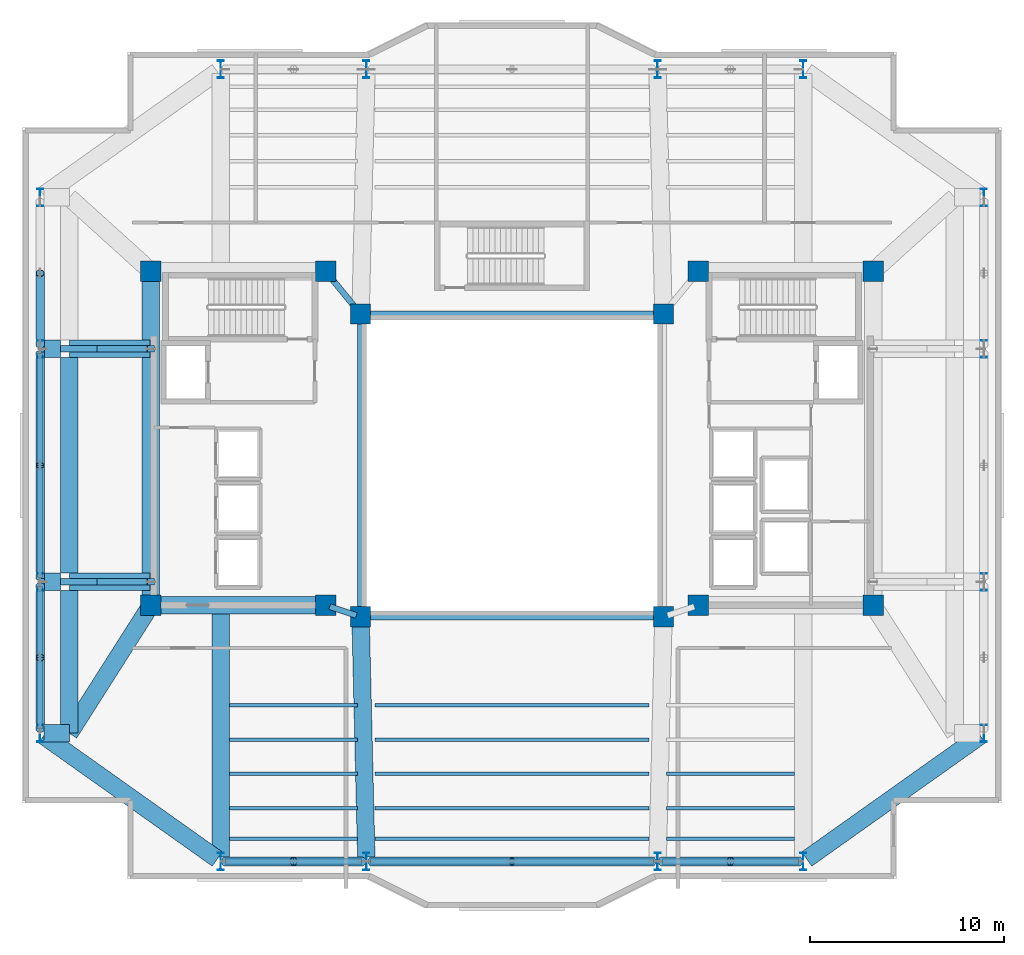
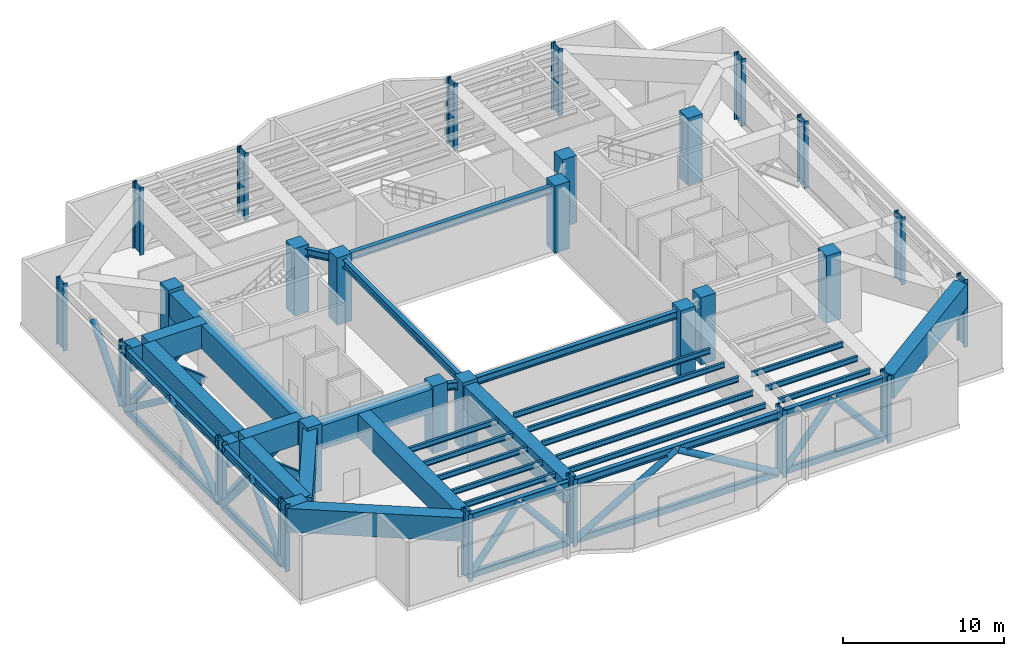
# One storey, part 1 of 13: 37 beams, 28 columns, 20 members.
"""IFC4 building model written with IfcOpenShell, lengths in metres."""

from ifc_helpers import new_model, si_unit, direction, frame, origin, origin_2d, place, context, subcontext, project, spatial, rectangle, hollow_rectangle, hollow_circle, i_section, extrude, material, material_profile, profile_set, type_object, element, save


model = new_model("IFC4")

# Units and contexts
model_context = context("Model", 3, precision=1e-05, world=origin(), true_north=direction((0.0, 1.0)))
body_context = subcontext(model_context, "Body", "Model", "MODEL_VIEW")
ifc_project = project(units=[si_unit("LENGTHUNIT", "METRE"), si_unit("AREAUNIT", "SQUARE_METRE"), si_unit("VOLUMEUNIT", "CUBIC_METRE"), si_unit("PLANEANGLEUNIT", "RADIAN"), si_unit("MASSUNIT", "GRAM", prefix="KILO")], contexts=[model_context])

# Site, building, storey
site_placement = place(None, origin())
site = spatial("IfcSite", under=ifc_project, at=site_placement, CompositionType="ELEMENT")
building_placement = place(site_placement, origin())
building = spatial("IfcBuilding", under=site, at=building_placement, Name="Tarnavaz Court Tower", CompositionType="ELEMENT")
storey_placement = place(building_placement, frame((0.0, 0.0, 181.800048828125)))
storey = spatial("IfcBuildingStorey", under=building, at=storey_placement, Name="L49", CompositionType="ELEMENT", Elevation=181.800048828125)

# Columns
ifc_material_1 = material(Name="Concrete C60/75", Category="concrete")
ifc_material_profile_1 = material_profile(ifc_material_1, rectangle(XDim=1.050048828125, YDim=1.050048828125, at=origin_2d()), Name="RC 1050X1050")
ifc_profile_set_1 = profile_set([ifc_material_profile_1], Name="Concrete C60/75")
column_type_1 = type_object("IfcColumnType", Name="CL-RC1050", PredefinedType="COLUMN", material=ifc_profile_set_1)
for number, where, z_axis, x_axis, name in (
    (1, (-7.800048828125, -7.800048828125, 0.0), (0.0, 0.0, 1.0), (1.0, 0.0, 0.0), "L49 Column IW-SW"),
    (2, (7.800048828125, -7.800048828125, 0.0), (0.0, 0.0, 1.0), (1.0, 0.0, 0.0), "L49 Column IW-SE"),
    (3, (-7.800048828125, 7.800048828125, 0.0), (0.0, 0.0, 1.0), (1.0, 0.0, 0.0), "L49 Column IW-NW"),
    (4, (7.800048828125, 7.800048828125, 0.0), (0.0, 0.0, 1.0), (1.0, 0.0, 0.0), "L49 Column IW-NE"),
    (5, (-9.60009765625, -7.199951171875, 0.0), (0.0, 0.0, 1.0), (1.0, 0.0, 0.0), "L49 Column CW-SI"),
    (6, (-9.60009765625, 10.0, 0.0), (0.0, 0.0, 1.0), (1.0, 0.0, 0.0), "L49 Column CW-NI"),
    (7, (9.60009765625, -7.199951171875, 0.0), (0.0, 0.0, 1.0), (1.0, 0.0, 0.0), "L49 Column CE-SI"),
    (8, (9.60009765625, 10.0, 0.0), (0.0, 0.0, 1.0), (1.0, 0.0, 0.0), "L49 Column CE-NI"),
    (9, (-18.60009765625, -7.199951171875, 0.0), (0.0, 0.0, 1.0), (1.0, 0.0, 0.0), "L49 Column CW-SO"),
    (10, (-18.60009765625, 10.0, 0.0), (0.0, 0.0, 1.0), (1.0, 0.0, 0.0), "L49 Column CW-NO"),
    (11, (18.60009765625, -7.199951171875, 0.0), (0.0, 0.0, 1.0), (1.0, 0.0, 0.0), "L49 Column CE-SO"),
    (12, (18.60009765625, 10.0, 0.0), (0.0, 0.0, 1.0), (1.0, 0.0, 0.0), "L49 Column CE-NO"),
):
    element("IfcColumn", number, at=place(storey_placement, frame(where, z_axis=z_axis, x_axis=x_axis)), inside=storey, type_object=column_type_1, Name=name, PredefinedType="COLUMN", context=body_context, shape_type="SweptSolid", body=[
        extrude(rectangle(XDim=1.050048828125, YDim=1.050048828125, at=origin_2d()), origin(), (0.0, 0.0, 1.0), 5.099853515625),
    ])
ifc_material_2 = material(Name="Steel S460", Category="steel")
ifc_material_profile_2 = material_profile(ifc_material_2, i_section(OverallWidth=0.302001953125, OverallDepth=0.909912109375, WebThickness=0.02099609375, FlangeThickness=0.0400390625, FilletRadius=0.030029296875, at=origin_2d()), Name="HEM 900")
ifc_profile_set_2 = profile_set([ifc_material_profile_2], Name="Steel S460")
column_type_2 = type_object("IfcColumnType", Name="CL-S460-HEM900", PredefinedType="COLUMN", material=ifc_profile_set_2)
for number, where, z_axis, x_axis, name in (
    (13, (-15.0, 20.39990234375, 0.0), (0.0, 0.0, 1.0), (1.0, 0.0, 0.0), "L49 Column PN-1"),
    (14, (-7.5, 20.39990234375, 0.0), (0.0, 0.0, 1.0), (1.0, 0.0, 0.0), "L49 Column PN-2"),
    (15, (7.5, 20.39990234375, 0.0), (0.0, 0.0, 1.0), (1.0, 0.0, 0.0), "L49 Column PN-3"),
    (16, (15.0, 20.39990234375, 0.0), (0.0, 0.0, 1.0), (1.0, 0.0, 0.0), "L49 Column PN-4"),
    (17, (-15.0, -20.39990234375, 0.0), (0.0, 0.0, 1.0), (1.0, 0.0, 0.0), "L49 Column PS-1"),
    (18, (-7.5, -20.39990234375, 0.0), (0.0, 0.0, 1.0), (1.0, 0.0, 0.0), "L49 Column PS-2"),
    (19, (7.5, -20.39990234375, 0.0), (0.0, 0.0, 1.0), (1.0, 0.0, 0.0), "L49 Column PS-3"),
    (20, (15.0, -20.39990234375, 0.0), (0.0, 0.0, 1.0), (1.0, 0.0, 0.0), "L49 Column PS-4"),
    (21, (24.300048828125, -13.800048828125, 0.0), (0.0, 0.0, 1.0), (1.0, 0.0, 0.0), "L49 Column PE-1"),
    (22, (24.300048828125, -6.0, 0.0), (0.0, 0.0, 1.0), (1.0, 0.0, 0.0), "L49 Column PE-2"),
    (23, (24.300048828125, 6.0, 0.0), (0.0, 0.0, 1.0), (1.0, 0.0, 0.0), "L49 Column PE-3"),
    (24, (24.300048828125, 13.800048828125, 0.0), (0.0, 0.0, 1.0), (1.0, 0.0, 0.0), "L49 Column PE-4"),
    (25, (-24.300048828125, -13.800048828125, 0.0), (0.0, 0.0, 1.0), (1.0, 0.0, 0.0), "L49 Column PW-1"),
    (26, (-24.300048828125, -6.0, 0.0), (0.0, 0.0, 1.0), (1.0, 0.0, 0.0), "L49 Column PW-2"),
    (27, (-24.300048828125, 6.0, 0.0), (0.0, 0.0, 1.0), (1.0, 0.0, 0.0), "L49 Column PW-3"),
    (28, (-24.300048828125, 13.800048828125, 0.0), (0.0, 0.0, 1.0), (1.0, 0.0, 0.0), "L49 Column PW-4"),
):
    element("IfcColumn", number, at=place(storey_placement, frame(where, z_axis=z_axis, x_axis=x_axis)), inside=storey, type_object=column_type_2, Name=name, PredefinedType="COLUMN", context=body_context, shape_type="SweptSolid", body=[
        extrude(i_section(OverallWidth=0.302001953125, OverallDepth=0.909912109375, WebThickness=0.02099609375, FlangeThickness=0.0400390625, FilletRadius=0.030029296875, at=origin_2d()), origin(), (0.0, 0.0, 1.0), 5.099853515625),
    ])

# Beams
ifc_material_profile_3 = material_profile(ifc_material_2, i_section(OverallWidth=0.305908203125, OverallDepth=0.572021484375, WebThickness=0.02099609375, FlangeThickness=0.0400390625, FilletRadius=0.027099609375, at=origin_2d()), Name="HEM 550")
ifc_profile_set_3 = profile_set([ifc_material_profile_3], Name="Steel S460")
beam_type_1 = type_object("IfcBeamType", Name="BM-BT-HEM550", PredefinedType="USERDEFINED", material=ifc_profile_set_3)
for number, where, z_axis, x_axis, name in (
    (29, (-7.580078125, -7.800048828125, 4.56396484375), (1.0, 0.0, 0.0), (0.0, 1.0, 0.0), "L49 Beam IN-IW-SW-IW-SE"),
    (30, (-7.580078125, 7.800048828125, 4.56396484375), (1.0, 0.0, 0.0), (0.0, 1.0, 0.0), "L49 Beam IN-IW-NW-IW-NE"),
    (31, (-7.800048828125, -7.580078125, 4.56396484375), (0.0, 1.0, 0.0), (-1.0, 0.0, 0.0), "L49 Beam IN-IW-SW-IW-NW"),
):
    element("IfcBeam", number, at=place(storey_placement, frame(where, z_axis=z_axis, x_axis=x_axis)), inside=storey, type_object=beam_type_1, Name=name, ObjectType="GIRDER", PredefinedType="USERDEFINED", context=body_context, shape_type="SweptSolid", body=[
        extrude(i_section(OverallWidth=0.305908203125, OverallDepth=0.572021484375, WebThickness=0.02099609375, FlangeThickness=0.0400390625, FilletRadius=0.027099609375, at=origin_2d()), origin(), (0.0, 0.0, 1.0), 15.16015625),
    ])
beam_1_placement = place(storey_placement, frame((-9.391357421875, -7.26953125, 4.56396484375), z_axis=(0.948666544706, -0.316278021615, 0.0), x_axis=(0.316278021615, 0.948666544706, 0.0)))
element("IfcBeam", 32, at=beam_1_placement, inside=storey, type_object=beam_type_1, Name="L49 Beam IN-CW-SI-IW-SW", ObjectType="GIRDER", PredefinedType="USERDEFINED", context=body_context, shape_type="SweptSolid", body=[
    extrude(i_section(OverallWidth=0.305908203125, OverallDepth=0.572021484375, WebThickness=0.02099609375, FlangeThickness=0.0400390625, FilletRadius=0.027099609375, at=origin_2d()), origin(), (0.0, 0.0, 1.0), 1.457275390625),
])
beam_2_placement = place(storey_placement, frame((-9.460693359375, 9.82958984375, 4.56396484375), z_axis=(0.633282058357, -0.773921077735, 0.0), x_axis=(0.773921077735, 0.633282058357, 0.0)))
element("IfcBeam", 33, at=beam_2_placement, inside=storey, type_object=beam_type_1, Name="L49 Beam IN-CW-NI-IW-NW", ObjectType="GIRDER", PredefinedType="USERDEFINED", context=body_context, shape_type="SweptSolid", body=[
    extrude(i_section(OverallWidth=0.305908203125, OverallDepth=0.572021484375, WebThickness=0.02099609375, FlangeThickness=0.0400390625, FilletRadius=0.027099609375, at=origin_2d()), origin(), (0.0, 0.0, 1.0), 2.402587890625),
])
beam_3_placement = place(storey_placement, frame((-14.780029296875, -20.39990234375, 4.56396484375), z_axis=(1.0, 0.0, 0.0), x_axis=(0.0, 1.0, 0.0)))
element("IfcBeam", 34, at=beam_3_placement, inside=storey, type_object=beam_type_1, Name="L49 Beam PR-PS-1-PS-2", ObjectType="GIRDER", PredefinedType="USERDEFINED", context=body_context, shape_type="SweptSolid", body=[
    extrude(i_section(OverallWidth=0.305908203125, OverallDepth=0.572021484375, WebThickness=0.02099609375, FlangeThickness=0.0400390625, FilletRadius=0.027099609375, at=origin_2d()), origin(), (0.0, 0.0, 1.0), 7.06005859375),
])
beam_4_placement = place(storey_placement, frame((-7.280029296875, -20.39990234375, 4.56396484375), z_axis=(1.0, 0.0, 0.0), x_axis=(0.0, 1.0, 0.0)))
element("IfcBeam", 35, at=beam_4_placement, inside=storey, type_object=beam_type_1, Name="L49 Beam PR-PS-2-PS-3", ObjectType="GIRDER", PredefinedType="USERDEFINED", context=body_context, shape_type="SweptSolid", body=[
    extrude(i_section(OverallWidth=0.305908203125, OverallDepth=0.572021484375, WebThickness=0.02099609375, FlangeThickness=0.0400390625, FilletRadius=0.027099609375, at=origin_2d()), origin(), (0.0, 0.0, 1.0), 14.56005859375),
])
beam_5_placement = place(storey_placement, frame((7.719970703125, -20.39990234375, 4.56396484375), z_axis=(1.0, 0.0, 0.0), x_axis=(0.0, 1.0, 0.0)))
element("IfcBeam", 36, at=beam_5_placement, inside=storey, type_object=beam_type_1, Name="L49 Beam PR-PS-3-PS-4", ObjectType="GIRDER", PredefinedType="USERDEFINED", context=body_context, shape_type="SweptSolid", body=[
    extrude(i_section(OverallWidth=0.305908203125, OverallDepth=0.572021484375, WebThickness=0.02099609375, FlangeThickness=0.0400390625, FilletRadius=0.027099609375, at=origin_2d()), origin(), (0.0, 0.0, 1.0), 7.06005859375),
])
beam_6_placement = place(storey_placement, frame((-24.300048828125, -13.580078125, 4.56396484375), z_axis=(0.0, 1.0, 0.0), x_axis=(-1.0, 0.0, 0.0)))
element("IfcBeam", 37, at=beam_6_placement, inside=storey, type_object=beam_type_1, Name="L49 Beam PR-PW-1-PW-2", ObjectType="GIRDER", PredefinedType="USERDEFINED", context=body_context, shape_type="SweptSolid", body=[
    extrude(i_section(OverallWidth=0.305908203125, OverallDepth=0.572021484375, WebThickness=0.02099609375, FlangeThickness=0.0400390625, FilletRadius=0.027099609375, at=origin_2d()), origin(), (0.0, 0.0, 1.0), 7.360107421875),
])
beam_7_placement = place(storey_placement, frame((-24.300048828125, -5.780029296875, 4.56396484375), z_axis=(0.0, 1.0, 0.0), x_axis=(-1.0, 0.0, 0.0)))
element("IfcBeam", 38, at=beam_7_placement, inside=storey, type_object=beam_type_1, Name="L49 Beam PR-PW-2-PW-3", ObjectType="GIRDER", PredefinedType="USERDEFINED", context=body_context, shape_type="SweptSolid", body=[
    extrude(i_section(OverallWidth=0.305908203125, OverallDepth=0.572021484375, WebThickness=0.02099609375, FlangeThickness=0.0400390625, FilletRadius=0.027099609375, at=origin_2d()), origin(), (0.0, 0.0, 1.0), 11.56005859375),
])
ifc_material_3 = material(Name="Steel S355", Category="steel")
ifc_material_profile_4 = material_profile(ifc_material_3, i_section(OverallWidth=0.179931640625, OverallDepth=0.39990234375, WebThickness=0.008544921875, FlangeThickness=0.013427734375, FilletRadius=0.02099609375, at=origin_2d()), Name="IPE 400")
ifc_profile_set_4 = profile_set([ifc_material_profile_4], Name="Steel S355")
beam_type_2 = type_object("IfcBeamType", Name="BM-J-IPE400", PredefinedType="JOIST", material=ifc_profile_set_4)
beam_8_placement = place(storey_placement, frame((-14.550048828125, -12.364013671875, 4.64990234375), z_axis=(1.0, 0.0, 0.0), x_axis=(0.0, 1.0, 0.0)))
element("IfcBeam", 39, at=beam_8_placement, inside=storey, type_object=beam_type_2, Name="L49 Beam JS1-1", PredefinedType="JOIST", context=body_context, shape_type="SweptSolid", body=[
    extrude(i_section(OverallWidth=0.179931640625, OverallDepth=0.39990234375, WebThickness=0.008544921875, FlangeThickness=0.013427734375, FilletRadius=0.02099609375, at=origin_2d()), origin(), (0.0, 0.0, 1.0), 6.60009765625),
])
beam_9_placement = place(storey_placement, frame((-7.050048828125, -12.364013671875, 4.64990234375), z_axis=(1.0, 0.0, 0.0), x_axis=(0.0, 1.0, 0.0)))
element("IfcBeam", 40, at=beam_9_placement, inside=storey, type_object=beam_type_2, Name="L49 Beam JS1-2", PredefinedType="JOIST", context=body_context, shape_type="SweptSolid", body=[
    extrude(i_section(OverallWidth=0.179931640625, OverallDepth=0.39990234375, WebThickness=0.008544921875, FlangeThickness=0.013427734375, FilletRadius=0.02099609375, at=origin_2d()), origin(), (0.0, 0.0, 1.0), 14.10009765625),
])
beam_10_placement = place(storey_placement, frame((-14.550048828125, -14.1279296875, 4.64990234375), z_axis=(1.0, 0.0, 0.0), x_axis=(0.0, 1.0, 0.0)))
element("IfcBeam", 41, at=beam_10_placement, inside=storey, type_object=beam_type_2, Name="L49 Beam JS2-1", PredefinedType="JOIST", context=body_context, shape_type="SweptSolid", body=[
    extrude(i_section(OverallWidth=0.179931640625, OverallDepth=0.39990234375, WebThickness=0.008544921875, FlangeThickness=0.013427734375, FilletRadius=0.02099609375, at=origin_2d()), origin(), (0.0, 0.0, 1.0), 6.60009765625),
])
beam_11_placement = place(storey_placement, frame((-7.050048828125, -14.1279296875, 4.64990234375), z_axis=(1.0, 0.0, 0.0), x_axis=(0.0, 1.0, 0.0)))
element("IfcBeam", 42, at=beam_11_placement, inside=storey, type_object=beam_type_2, Name="L49 Beam JS2-2", PredefinedType="JOIST", context=body_context, shape_type="SweptSolid", body=[
    extrude(i_section(OverallWidth=0.179931640625, OverallDepth=0.39990234375, WebThickness=0.008544921875, FlangeThickness=0.013427734375, FilletRadius=0.02099609375, at=origin_2d()), origin(), (0.0, 0.0, 1.0), 14.10009765625),
])
beam_12_placement = place(storey_placement, frame((-14.550048828125, -15.89208984375, 4.64990234375), z_axis=(1.0, 0.0, 0.0), x_axis=(0.0, 1.0, 0.0)))
element("IfcBeam", 43, at=beam_12_placement, inside=storey, type_object=beam_type_2, Name="L49 Beam JS3-1", PredefinedType="JOIST", context=body_context, shape_type="SweptSolid", body=[
    extrude(i_section(OverallWidth=0.179931640625, OverallDepth=0.39990234375, WebThickness=0.008544921875, FlangeThickness=0.013427734375, FilletRadius=0.02099609375, at=origin_2d()), origin(), (0.0, 0.0, 1.0), 6.60009765625),
])
beam_13_placement = place(storey_placement, frame((-7.050048828125, -15.89208984375, 4.64990234375), z_axis=(1.0, 0.0, 0.0), x_axis=(0.0, 1.0, 0.0)))
element("IfcBeam", 44, at=beam_13_placement, inside=storey, type_object=beam_type_2, Name="L49 Beam JS3-2", PredefinedType="JOIST", context=body_context, shape_type="SweptSolid", body=[
    extrude(i_section(OverallWidth=0.179931640625, OverallDepth=0.39990234375, WebThickness=0.008544921875, FlangeThickness=0.013427734375, FilletRadius=0.02099609375, at=origin_2d()), origin(), (0.0, 0.0, 1.0), 14.10009765625),
])
for number, where, z_axis, x_axis, name in (
    (45, (7.949951171875, -15.89208984375, 4.64990234375), (1.0, 0.0, 0.0), (0.0, 1.0, 0.0), "L49 Beam JS3-3"),
    (46, (-14.550048828125, -17.656005859375, 4.64990234375), (1.0, 0.0, 0.0), (0.0, 1.0, 0.0), "L49 Beam JS4-1"),
):
    element("IfcBeam", number, at=place(storey_placement, frame(where, z_axis=z_axis, x_axis=x_axis)), inside=storey, type_object=beam_type_2, Name=name, PredefinedType="JOIST", context=body_context, shape_type="SweptSolid", body=[
        extrude(i_section(OverallWidth=0.179931640625, OverallDepth=0.39990234375, WebThickness=0.008544921875, FlangeThickness=0.013427734375, FilletRadius=0.02099609375, at=origin_2d()), origin(), (0.0, 0.0, 1.0), 6.60009765625),
    ])
beam_14_placement = place(storey_placement, frame((-7.050048828125, -17.656005859375, 4.64990234375), z_axis=(1.0, 0.0, 0.0), x_axis=(0.0, 1.0, 0.0)))
element("IfcBeam", 47, at=beam_14_placement, inside=storey, type_object=beam_type_2, Name="L49 Beam JS4-2", PredefinedType="JOIST", context=body_context, shape_type="SweptSolid", body=[
    extrude(i_section(OverallWidth=0.179931640625, OverallDepth=0.39990234375, WebThickness=0.008544921875, FlangeThickness=0.013427734375, FilletRadius=0.02099609375, at=origin_2d()), origin(), (0.0, 0.0, 1.0), 14.10009765625),
])
for number, where, z_axis, x_axis, name in (
    (48, (7.949951171875, -17.656005859375, 4.64990234375), (1.0, 0.0, 0.0), (0.0, 1.0, 0.0), "L49 Beam JS4-3"),
    (49, (-14.550048828125, -19.22412109375, 4.64990234375), (1.0, 0.0, 0.0), (0.0, 1.0, 0.0), "L49 Beam JS5-1"),
):
    element("IfcBeam", number, at=place(storey_placement, frame(where, z_axis=z_axis, x_axis=x_axis)), inside=storey, type_object=beam_type_2, Name=name, PredefinedType="JOIST", context=body_context, shape_type="SweptSolid", body=[
        extrude(i_section(OverallWidth=0.179931640625, OverallDepth=0.39990234375, WebThickness=0.008544921875, FlangeThickness=0.013427734375, FilletRadius=0.02099609375, at=origin_2d()), origin(), (0.0, 0.0, 1.0), 6.60009765625),
    ])
beam_15_placement = place(storey_placement, frame((-7.050048828125, -19.22412109375, 4.64990234375), z_axis=(1.0, 0.0, 0.0), x_axis=(0.0, 1.0, 0.0)))
element("IfcBeam", 50, at=beam_15_placement, inside=storey, type_object=beam_type_2, Name="L49 Beam JS5-2", PredefinedType="JOIST", context=body_context, shape_type="SweptSolid", body=[
    extrude(i_section(OverallWidth=0.179931640625, OverallDepth=0.39990234375, WebThickness=0.008544921875, FlangeThickness=0.013427734375, FilletRadius=0.02099609375, at=origin_2d()), origin(), (0.0, 0.0, 1.0), 14.10009765625),
])
beam_16_placement = place(storey_placement, frame((7.949951171875, -19.22412109375, 4.64990234375), z_axis=(1.0, 0.0, 0.0), x_axis=(0.0, 1.0, 0.0)))
element("IfcBeam", 51, at=beam_16_placement, inside=storey, type_object=beam_type_2, Name="L49 Beam JS5-3", PredefinedType="JOIST", context=body_context, shape_type="SweptSolid", body=[
    extrude(i_section(OverallWidth=0.179931640625, OverallDepth=0.39990234375, WebThickness=0.008544921875, FlangeThickness=0.013427734375, FilletRadius=0.02099609375, at=origin_2d()), origin(), (0.0, 0.0, 1.0), 6.60009765625),
])
ifc_material_4 = material(Name="Concrete C50/60", Category="concrete")
ifc_material_profile_5 = material_profile(ifc_material_4, rectangle(XDim=0.89990234375, YDim=1.800048828125, at=origin_2d()), Name="RC 900X1800")
ifc_profile_set_5 = profile_set([ifc_material_profile_5], Name="Concrete C50/60")
beam_type_3 = type_object("IfcBeamType", Name="BM-TG1800", PredefinedType="USERDEFINED", material=ifc_profile_set_5)
beam_17_placement = place(storey_placement, frame((-18.3798828125, -7.199951171875, 3.949951171875), z_axis=(1.0, 0.0, 0.0), x_axis=(0.0, 1.0, 0.0)))
element("IfcBeam", 52, at=beam_17_placement, inside=storey, type_object=beam_type_3, Name="L49 Beam IN-CW-SO-CW-SI", ObjectType="GIRDER", PredefinedType="USERDEFINED", context=body_context, shape_type="SweptSolid", body=[
    extrude(rectangle(XDim=0.89990234375, YDim=1.800048828125, at=origin_2d()), origin(), (0.0, 0.0, 1.0), 8.559814453125),
])
beam_18_placement = place(storey_placement, frame((-18.60009765625, -6.97998046875, 3.949951171875), z_axis=(0.0, 1.0, 0.0), x_axis=(-1.0, 0.0, 0.0)))
element("IfcBeam", 53, at=beam_18_placement, inside=storey, type_object=beam_type_3, Name="L49 Beam IN-CW-SO-CW-NO", ObjectType="GIRDER", PredefinedType="USERDEFINED", context=body_context, shape_type="SweptSolid", body=[
    extrude(rectangle(XDim=0.89990234375, YDim=1.800048828125, at=origin_2d()), origin(), (0.0, 0.0, 1.0), 16.760009765625),
])
for number, where, z_axis, x_axis, name in (
    (54, (24.12060546875, -13.92724609375, 3.949951171875), (-0.815502059396, -0.57875417158, 0.0), (0.57875417158, -0.815502059396, 0.0), "L49 Beam PR-PE-1-PS-4"),
    (55, (-15.179443359375, -20.272705078125, 3.949951171875), (-0.815502059396, 0.57875417158, 0.0), (-0.57875417158, -0.815502059396, 0.0), "L49 Beam PR-PS-1-PW-1"),
):
    element("IfcBeam", number, at=place(storey_placement, frame(where, z_axis=z_axis, x_axis=x_axis)), inside=storey, type_object=beam_type_3, Name=name, ObjectType="GIRDER", PredefinedType="USERDEFINED", context=body_context, shape_type="SweptSolid", body=[
        extrude(rectangle(XDim=0.89990234375, YDim=1.800048828125, at=origin_2d()), origin(), (0.0, 0.0, 1.0), 10.964111328125),
    ])
beam_19_placement = place(storey_placement, frame((-15.0, -7.239990234375, 3.949951171875), z_axis=(0.0, -1.0, 0.0), x_axis=(1.0, 0.0, 0.0)))
element("IfcBeam", 56, at=beam_19_placement, inside=storey, type_object=beam_type_3, Name="L49 Beam RG-05", ObjectType="GIRDER", PredefinedType="USERDEFINED", context=body_context, shape_type="SweptSolid", body=[
    extrude(rectangle(XDim=0.89990234375, YDim=1.800048828125, at=origin_2d()), origin(), (0.0, 0.0, 1.0), 12.93994140625),
])
beam_20_placement = place(storey_placement, frame((-7.794921875, -8.02001953125, 3.949951171875), z_axis=(0.023824748444, -0.999716150395, 0.0), x_axis=(0.999716150395, 0.023824748444, 0.0)))
element("IfcBeam", 57, at=beam_20_placement, inside=storey, type_object=beam_type_3, Name="L49 Beam RG-06", ObjectType="GIRDER", PredefinedType="USERDEFINED", context=body_context, shape_type="SweptSolid", body=[
    extrude(rectangle(XDim=0.89990234375, YDim=1.800048828125, at=origin_2d()), origin(), (0.0, 0.0, 1.0), 12.16357421875),
])
beam_21_placement = place(storey_placement, frame((-18.639892578125, -6.0, 3.949951171875), z_axis=(-1.0, 0.0, 0.0), x_axis=(0.0, -1.0, 0.0)))
element("IfcBeam", 58, at=beam_21_placement, inside=storey, type_object=beam_type_3, Name="L49 Beam RG-13", ObjectType="GIRDER", PredefinedType="USERDEFINED", context=body_context, shape_type="SweptSolid", body=[
    extrude(rectangle(XDim=0.89990234375, YDim=1.800048828125, at=origin_2d()), origin(), (0.0, 0.0, 1.0), 4.16015625),
])
beam_22_placement = place(storey_placement, frame((-23.25, -6.0, 3.949951171875), z_axis=(-1.0, 0.0, 0.0), x_axis=(0.0, -1.0, 0.0)))
element("IfcBeam", 59, at=beam_22_placement, inside=storey, type_object=beam_type_3, Name="L49 Beam RG-13B", ObjectType="GIRDER", PredefinedType="USERDEFINED", context=body_context, shape_type="SweptSolid", body=[
    extrude(rectangle(XDim=0.89990234375, YDim=1.800048828125, at=origin_2d()), origin(), (0.0, 0.0, 1.0), 0.830078125),
])
beam_23_placement = place(storey_placement, frame((-18.639892578125, 6.0, 3.949951171875), z_axis=(-1.0, 0.0, 0.0), x_axis=(0.0, -1.0, 0.0)))
element("IfcBeam", 60, at=beam_23_placement, inside=storey, type_object=beam_type_3, Name="L49 Beam RG-14", ObjectType="GIRDER", PredefinedType="USERDEFINED", context=body_context, shape_type="SweptSolid", body=[
    extrude(rectangle(XDim=0.89990234375, YDim=1.800048828125, at=origin_2d()), origin(), (0.0, 0.0, 1.0), 4.16015625),
])
beam_24_placement = place(storey_placement, frame((-23.25, 6.0, 3.949951171875), z_axis=(-1.0, 0.0, 0.0), x_axis=(0.0, -1.0, 0.0)))
element("IfcBeam", 61, at=beam_24_placement, inside=storey, type_object=beam_type_3, Name="L49 Beam RG-14B", ObjectType="GIRDER", PredefinedType="USERDEFINED", context=body_context, shape_type="SweptSolid", body=[
    extrude(rectangle(XDim=0.89990234375, YDim=1.800048828125, at=origin_2d()), origin(), (0.0, 0.0, 1.0), 0.830078125),
])
beam_25_placement = place(storey_placement, frame((-18.70751953125, -7.36865234375, 3.949951171875), z_axis=(-0.536858913706, -0.843672037449, 0.0), x_axis=(0.843672037449, -0.536858913706, 0.0)))
element("IfcBeam", 62, at=beam_25_placement, inside=storey, type_object=beam_type_3, Name="L49 Beam TG-SET-WS", ObjectType="GIRDER", PredefinedType="USERDEFINED", context=body_context, shape_type="SweptSolid", body=[
    extrude(rectangle(XDim=0.89990234375, YDim=1.800048828125, at=origin_2d()), origin(), (0.0, 0.0, 1.0), 7.623046875),
])
beam_26_placement = place(storey_placement, frame((-22.800048828125, -13.800048828125, 3.949951171875), z_axis=(-1.0, 0.0, 0.0), x_axis=(0.0, -1.0, 0.0)))
element("IfcBeam", 63, at=beam_26_placement, inside=storey, type_object=beam_type_3, Name="L49 Beam TG-OUT-WS", ObjectType="GIRDER", PredefinedType="USERDEFINED", context=body_context, shape_type="SweptSolid", body=[
    extrude(rectangle(XDim=0.89990234375, YDim=1.800048828125, at=origin_2d()), origin(), (0.0, 0.0, 1.0), 1.300048828125),
])
beam_27_placement = place(storey_placement, frame((-22.800048828125, -13.780029296875, 3.949951171875), z_axis=(0.0, 1.0, 0.0), x_axis=(-1.0, 0.0, 0.0)))
element("IfcBeam", 64, at=beam_27_placement, inside=storey, type_object=beam_type_3, Name="L49 Beam TG-TIE-W1", ObjectType="GIRDER", PredefinedType="USERDEFINED", context=body_context, shape_type="SweptSolid", body=[
    extrude(rectangle(XDim=0.89990234375, YDim=1.800048828125, at=origin_2d()), origin(), (0.0, 0.0, 1.0), 7.330078125),
])
beam_28_placement = place(storey_placement, frame((-22.800048828125, -5.550048828125, 3.949951171875), z_axis=(0.0, 1.0, 0.0), x_axis=(-1.0, 0.0, 0.0)))
element("IfcBeam", 65, at=beam_28_placement, inside=storey, type_object=beam_type_3, Name="L49 Beam TG-TIE-W2", ObjectType="GIRDER", PredefinedType="USERDEFINED", context=body_context, shape_type="SweptSolid", body=[
    extrude(rectangle(XDim=0.89990234375, YDim=1.800048828125, at=origin_2d()), origin(), (0.0, 0.0, 1.0), 11.10009765625),
])

# Members
ifc_material_profile_6 = material_profile(ifc_material_2, hollow_circle(Radius=0.228515625, WallThickness=0.02001953125, at=origin_2d()), Name="CHS 457X20")
ifc_profile_set_6 = profile_set([ifc_material_profile_6], Name="Steel S460")
member_type_1 = type_object("IfcMemberType", Name="MB-BT-CHS457", PredefinedType="BRACE", material=ifc_profile_set_6)
for number, where, z_axis, x_axis, name in (
    (66, (-14.780029296875, -20.39990234375, 0.199951171875), (0.634508247424, 0.0, 0.772916091145), (0.0, 1.0, 0.0), "L49 Belt Truss Diagonal 04A"),
    (67, (-7.719970703125, -20.39990234375, 0.199951171875), (-0.634508247424, 0.0, 0.772916091145), (0.0, -1.0, 0.0), "L49 Belt Truss Diagonal 04B"),
):
    element("IfcMember", number, at=place(storey_placement, frame(where, z_axis=z_axis, x_axis=x_axis)), inside=storey, type_object=member_type_1, Name=name, PredefinedType="BRACE", context=body_context, shape_type="SweptSolid", body=[
        extrude(hollow_circle(Radius=0.228515625, WallThickness=0.02001953125, at=origin_2d()), origin(), (0.0, 0.0, 1.0), 5.5634765625),
    ])
for number, where, z_axis, x_axis, name in (
    (68, (-7.280029296875, -20.39990234375, 0.199951171875), (0.861019063822, 0.0, 0.508572680878), (0.0, 1.0, 0.0), "L49 Belt Truss Diagonal 05A"),
    (69, (7.280029296875, -20.39990234375, 0.199951171875), (-0.861019063822, 0.0, 0.508572680878), (0.0, -1.0, 0.0), "L49 Belt Truss Diagonal 05B"),
):
    element("IfcMember", number, at=place(storey_placement, frame(where, z_axis=z_axis, x_axis=x_axis)), inside=storey, type_object=member_type_1, Name=name, PredefinedType="BRACE", context=body_context, shape_type="SweptSolid", body=[
        extrude(hollow_circle(Radius=0.228515625, WallThickness=0.02001953125, at=origin_2d()), origin(), (0.0, 0.0, 1.0), 8.455078125),
    ])
for number, where, z_axis, x_axis, name in (
    (70, (7.719970703125, -20.39990234375, 0.199951171875), (0.634508247424, 0.0, 0.772916091145), (0.0, 1.0, 0.0), "L49 Belt Truss Diagonal 06A"),
    (71, (14.780029296875, -20.39990234375, 0.199951171875), (-0.634508247424, 0.0, 0.772916091145), (0.0, -1.0, 0.0), "L49 Belt Truss Diagonal 06B"),
):
    element("IfcMember", number, at=place(storey_placement, frame(where, z_axis=z_axis, x_axis=x_axis)), inside=storey, type_object=member_type_1, Name=name, PredefinedType="BRACE", context=body_context, shape_type="SweptSolid", body=[
        extrude(hollow_circle(Radius=0.228515625, WallThickness=0.02001953125, at=origin_2d()), origin(), (0.0, 0.0, 1.0), 5.5634765625),
    ])
member_1_placement = place(storey_placement, frame((-24.300048828125, -13.580078125, 0.199951171875), z_axis=(0.0, 0.650222818954, 0.759743565758), x_axis=(-1.0, 0.0, 0.0)))
element("IfcMember", 72, at=member_1_placement, inside=storey, type_object=member_type_1, Name="L49 Belt Truss Diagonal 10A", PredefinedType="BRACE", context=body_context, shape_type="SweptSolid", body=[
    extrude(hollow_circle(Radius=0.228515625, WallThickness=0.02001953125, at=origin_2d()), origin(), (0.0, 0.0, 1.0), 5.659912109375),
])
member_2_placement = place(storey_placement, frame((-24.300048828125, -6.219970703125, 0.199951171875), z_axis=(0.0, -0.650197919718, 0.759764874941), x_axis=(1.0, 0.0, 0.0)))
element("IfcMember", 73, at=member_2_placement, inside=storey, type_object=member_type_1, Name="L49 Belt Truss Diagonal 10B", PredefinedType="BRACE", context=body_context, shape_type="SweptSolid", body=[
    extrude(hollow_circle(Radius=0.228515625, WallThickness=0.02001953125, at=origin_2d()), origin(), (0.0, 0.0, 1.0), 5.65966796875),
])
for number, where, z_axis, x_axis, name in (
    (74, (-24.300048828125, -5.780029296875, 0.199951171875), (0.0, 0.802324180514, 0.596888523396), (-1.0, 0.0, 0.0), "L49 Belt Truss Diagonal 11A"),
    (75, (-24.300048828125, 5.780029296875, 0.199951171875), (0.0, -0.802324180514, 0.596888523396), (1.0, 0.0, 0.0), "L49 Belt Truss Diagonal 11B"),
):
    element("IfcMember", number, at=place(storey_placement, frame(where, z_axis=z_axis, x_axis=x_axis)), inside=storey, type_object=member_type_1, Name=name, PredefinedType="BRACE", context=body_context, shape_type="SweptSolid", body=[
        extrude(hollow_circle(Radius=0.228515625, WallThickness=0.02001953125, at=origin_2d()), origin(), (0.0, 0.0, 1.0), 7.2041015625),
    ])
member_3_placement = place(storey_placement, frame((-24.300048828125, 6.219970703125, 0.199951171875), z_axis=(0.0, 0.650197919718, 0.759764874941), x_axis=(-1.0, 0.0, 0.0)))
element("IfcMember", 76, at=member_3_placement, inside=storey, type_object=member_type_1, Name="L49 Belt Truss Diagonal 12A", PredefinedType="BRACE", context=body_context, shape_type="SweptSolid", body=[
    extrude(hollow_circle(Radius=0.228515625, WallThickness=0.02001953125, at=origin_2d()), origin(), (0.0, 0.0, 1.0), 5.65966796875),
])
ifc_material_profile_7 = material_profile(ifc_material_2, hollow_rectangle(XDim=0.300048828125, YDim=0.5, WallThickness=0.02001953125, InnerFilletRadius=0.02001953125, OuterFilletRadius=0.0400390625, at=origin_2d()), Name="RHS 500X300X20")
ifc_profile_set_7 = profile_set([ifc_material_profile_7], Name="Steel S460")
member_type_2 = type_object("IfcMemberType", Name="MB-BT-RHS500", PredefinedType="CHORD", material=ifc_profile_set_7)
member_4_placement = place(storey_placement, frame((-14.780029296875, -20.39990234375, 0.199951171875), z_axis=(1.0, 0.0, 0.0), x_axis=(0.0, 1.0, 0.0)))
element("IfcMember", 77, at=member_4_placement, inside=storey, type_object=member_type_2, Name="L49 Belt Truss Bottom Chord PS-1-PS-2", PredefinedType="CHORD", context=body_context, shape_type="SweptSolid", body=[
    extrude(hollow_rectangle(XDim=0.300048828125, YDim=0.5, WallThickness=0.02001953125, InnerFilletRadius=0.02001953125, OuterFilletRadius=0.0400390625, at=origin_2d()), origin(), (0.0, 0.0, 1.0), 7.06005859375),
])
member_5_placement = place(storey_placement, frame((-7.280029296875, -20.39990234375, 0.199951171875), z_axis=(1.0, 0.0, 0.0), x_axis=(0.0, 1.0, 0.0)))
element("IfcMember", 78, at=member_5_placement, inside=storey, type_object=member_type_2, Name="L49 Belt Truss Bottom Chord PS-2-PS-3", PredefinedType="CHORD", context=body_context, shape_type="SweptSolid", body=[
    extrude(hollow_rectangle(XDim=0.300048828125, YDim=0.5, WallThickness=0.02001953125, InnerFilletRadius=0.02001953125, OuterFilletRadius=0.0400390625, at=origin_2d()), origin(), (0.0, 0.0, 1.0), 14.56005859375),
])
member_6_placement = place(storey_placement, frame((7.719970703125, -20.39990234375, 0.199951171875), z_axis=(1.0, 0.0, 0.0), x_axis=(0.0, 1.0, 0.0)))
element("IfcMember", 79, at=member_6_placement, inside=storey, type_object=member_type_2, Name="L49 Belt Truss Bottom Chord PS-3-PS-4", PredefinedType="CHORD", context=body_context, shape_type="SweptSolid", body=[
    extrude(hollow_rectangle(XDim=0.300048828125, YDim=0.5, WallThickness=0.02001953125, InnerFilletRadius=0.02001953125, OuterFilletRadius=0.0400390625, at=origin_2d()), origin(), (0.0, 0.0, 1.0), 7.06005859375),
])
member_7_placement = place(storey_placement, frame((-24.300048828125, -13.580078125, 0.199951171875), z_axis=(0.0, 1.0, 0.0), x_axis=(-1.0, 0.0, 0.0)))
element("IfcMember", 80, at=member_7_placement, inside=storey, type_object=member_type_2, Name="L49 Belt Truss Bottom Chord PW-1-PW-2", PredefinedType="CHORD", context=body_context, shape_type="SweptSolid", body=[
    extrude(hollow_rectangle(XDim=0.300048828125, YDim=0.5, WallThickness=0.02001953125, InnerFilletRadius=0.02001953125, OuterFilletRadius=0.0400390625, at=origin_2d()), origin(), (0.0, 0.0, 1.0), 7.360107421875),
])
member_8_placement = place(storey_placement, frame((-24.300048828125, -5.780029296875, 0.199951171875), z_axis=(0.0, 1.0, 0.0), x_axis=(-1.0, 0.0, 0.0)))
element("IfcMember", 81, at=member_8_placement, inside=storey, type_object=member_type_2, Name="L49 Belt Truss Bottom Chord PW-2-PW-3", PredefinedType="CHORD", context=body_context, shape_type="SweptSolid", body=[
    extrude(hollow_rectangle(XDim=0.300048828125, YDim=0.5, WallThickness=0.02001953125, InnerFilletRadius=0.02001953125, OuterFilletRadius=0.0400390625, at=origin_2d()), origin(), (0.0, 0.0, 1.0), 11.56005859375),
])
ifc_material_profile_8 = material_profile(ifc_material_2, i_section(OverallWidth=0.3291015625, OverallDepth=0.635009765625, WebThickness=0.017822265625, FlangeThickness=0.031005859375, FilletRadius=0.017822265625, at=origin_2d()), Name="W24X162")
ifc_profile_set_8 = profile_set([ifc_material_profile_8], Name="Steel S460")
member_type_3 = type_object("IfcMemberType", Name="MB-OUT-W24", PredefinedType="BRACE", material=ifc_profile_set_8)
for number, where, z_axis, x_axis, name in (
    (82, (-18.60009765625, -6.0, 0.199951171875), (-0.791021381848, 0.0, 0.611788503864), (0.0, -1.0, 0.0), "L49 Core-to-Ring Outrigger Diagonal 3A"),
    (83, (-18.60009765625, -6.0, 4.5), (-0.791021381848, 0.0, -0.611788503864), (0.0, -1.0, 0.0), "L49 Core-to-Ring Outrigger Tie 3B"),
    (84, (-18.60009765625, 6.0, 0.199951171875), (-0.791021381848, 0.0, 0.611788503864), (0.0, -1.0, 0.0), "L49 Core-to-Ring Outrigger Diagonal 4A"),
    (85, (-18.60009765625, 6.0, 4.5), (-0.791021381848, 0.0, -0.611788503864), (0.0, -1.0, 0.0), "L49 Core-to-Ring Outrigger Tie 4B"),
):
    element("IfcMember", number, at=place(storey_placement, frame(where, z_axis=z_axis, x_axis=x_axis)), inside=storey, type_object=member_type_3, Name=name, PredefinedType="BRACE", context=body_context, shape_type="SweptSolid", body=[
        extrude(i_section(OverallWidth=0.3291015625, OverallDepth=0.635009765625, WebThickness=0.017822265625, FlangeThickness=0.031005859375, FilletRadius=0.017822265625, at=origin_2d()), origin(), (0.0, 0.0, 1.0), 7.028564453125),
    ])

save(model, "model.ifc")
